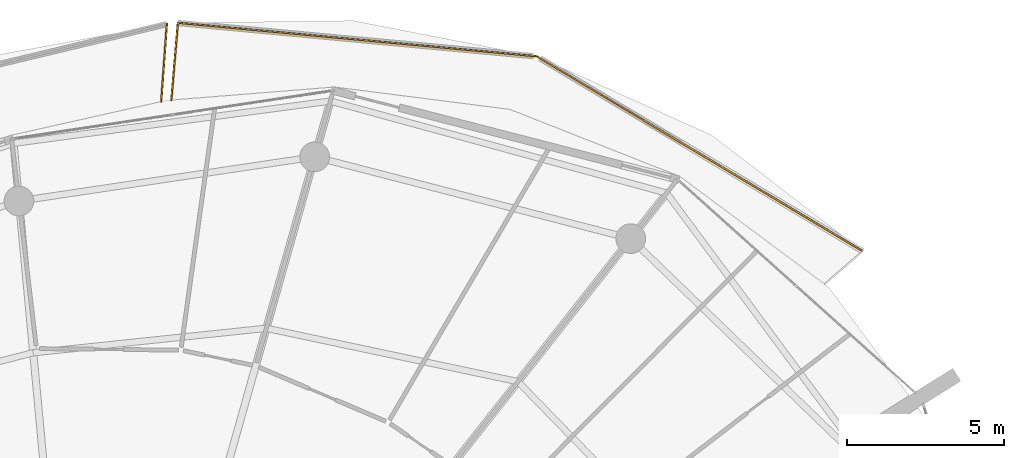
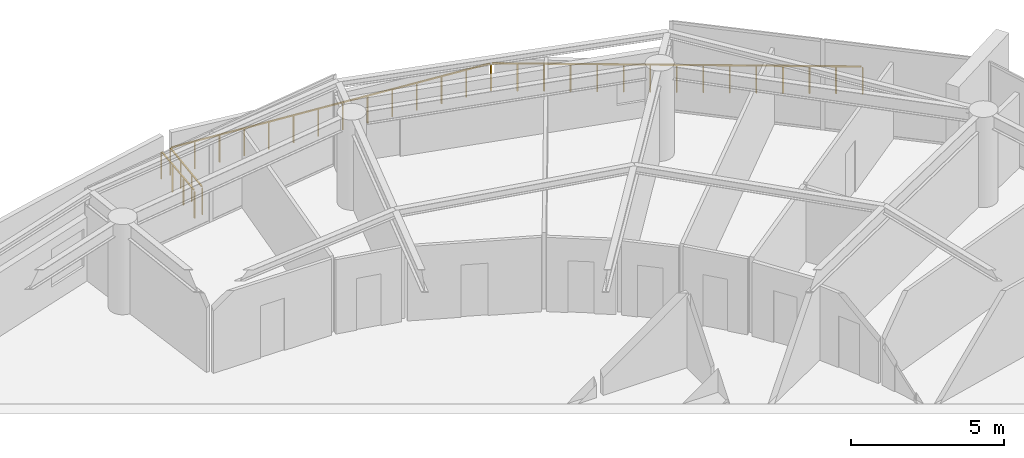
# One storey, part 31 of 31: 4 railings.
"""IFC4 building model written with IfcOpenShell, lengths in metres."""

from ifc_helpers import new_model, si_unit, direction, frame, origin, origin_2d, place, context, subcontext, project, spatial, rectangle, extrude, material, type_object, element, save


model = new_model("IFC4")

# Units and contexts
model_context = context("Model", 3, precision=1e-05, world=origin(), true_north=direction((0.0, 1.0)))
body_context = subcontext(model_context, "Body", "Model", "MODEL_VIEW")
ifc_project = project(units=[si_unit("LENGTHUNIT", "METRE"), si_unit("AREAUNIT", "SQUARE_METRE"), si_unit("VOLUMEUNIT", "CUBIC_METRE"), si_unit("PLANEANGLEUNIT", "RADIAN"), si_unit("MASSUNIT", "GRAM", prefix="KILO")], contexts=[model_context])

# Site, building, storey
site_placement = place(None, origin())
site = spatial("IfcSite", under=ifc_project, at=site_placement, CompositionType="ELEMENT")
building_placement = place(site_placement, origin())
building = spatial("IfcBuilding", under=site, at=building_placement, Name="Kazma Halo Residences", CompositionType="ELEMENT")
storey_placement = place(building_placement, frame((0.0, 0.0, 248.25)))
storey = spatial("IfcBuildingStorey", under=building, at=storey_placement, Name="L62", CompositionType="ELEMENT", Elevation=248.25)

# Railings
ifc_material = material(Name="Aluminium AW-6063 T6 Brushed Cap Rail", Category="aluminium")
railing_type = type_object("IfcRailingType", Name="RLG-BAL-CAP-1120", PredefinedType="BALUSTRADE", material=ifc_material)
railing_1_placement = place(storey_placement, frame((72.251220703125, 62.969970703125, 0.0)))
element("IfcRailing", 1, at=railing_1_placement, inside=storey, type_object=railing_type, Name="L62 NE wave balcony guard 2", PredefinedType="BALUSTRADE", context=body_context, shape_type="SweptSolid", body=[
    extrude(rectangle(XDim=0.050048828125, YDim=0.050048828125, at=origin_2d()), frame((-0.03662109375, 0.021728515625, 1.09521484375), z_axis=(-0.858276045077, 0.513188299211, 0.0), x_axis=(-0.513188299211, -0.858276045077, 0.0)), (0.0, 0.0, 1.0), 12.030517578125),
    extrude(rectangle(XDim=0.0400390625, YDim=0.0400390625, at=origin_2d()), origin(), (0.0, 0.0, 1.0), 1.05810546875),
    extrude(rectangle(XDim=0.0400390625, YDim=0.0400390625, at=origin_2d()), frame((-0.74267578125, 0.444091796875, 0.0)), (0.0, 0.0, 1.0), 1.05810546875),
    extrude(rectangle(XDim=0.0400390625, YDim=0.0400390625, at=origin_2d()), frame((-1.485595703125, 0.88818359375, 0.0)), (0.0, 0.0, 1.0), 1.05810546875),
    extrude(rectangle(XDim=0.0400390625, YDim=0.0400390625, at=origin_2d()), frame((-2.228271484375, 1.332275390625, 0.0)), (0.0, 0.0, 1.0), 1.05810546875),
    extrude(rectangle(XDim=0.0400390625, YDim=0.0400390625, at=origin_2d()), frame((-2.970947265625, 1.7763671875, 0.0)), (0.0, 0.0, 1.0), 1.05810546875),
    extrude(rectangle(XDim=0.0400390625, YDim=0.0400390625, at=origin_2d()), frame((-3.713623046875, 2.220458984375, 0.0)), (0.0, 0.0, 1.0), 1.05810546875),
    extrude(rectangle(XDim=0.0400390625, YDim=0.0400390625, at=origin_2d()), frame((-4.45654296875, 2.66455078125, 0.0)), (0.0, 0.0, 1.0), 1.05810546875),
    extrude(rectangle(XDim=0.0400390625, YDim=0.0400390625, at=origin_2d()), frame((-5.19921875, 3.10888671875, 0.0)), (0.0, 0.0, 1.0), 1.05810546875),
    extrude(rectangle(XDim=0.0400390625, YDim=0.0400390625, at=origin_2d()), frame((-5.94189453125, 3.552978515625, 0.0)), (0.0, 0.0, 1.0), 1.05810546875),
    extrude(rectangle(XDim=0.0400390625, YDim=0.0400390625, at=origin_2d()), frame((-6.684814453125, 3.9970703125, 0.0)), (0.0, 0.0, 1.0), 1.05810546875),
    extrude(rectangle(XDim=0.0400390625, YDim=0.0400390625, at=origin_2d()), frame((-7.427490234375, 4.441162109375, 0.0)), (0.0, 0.0, 1.0), 1.05810546875),
    extrude(rectangle(XDim=0.0400390625, YDim=0.0400390625, at=origin_2d()), frame((-8.170166015625, 4.88525390625, 0.0)), (0.0, 0.0, 1.0), 1.05810546875),
    extrude(rectangle(XDim=0.0400390625, YDim=0.0400390625, at=origin_2d()), frame((-8.912841796875, 5.329345703125, 0.0)), (0.0, 0.0, 1.0), 1.05810546875),
    extrude(rectangle(XDim=0.0400390625, YDim=0.0400390625, at=origin_2d()), frame((-9.65576171875, 5.7734375, 0.0)), (0.0, 0.0, 1.0), 1.05810546875),
    extrude(rectangle(XDim=0.0400390625, YDim=0.0400390625, at=origin_2d()), frame((-10.3984375, 6.217529296875, 0.0)), (0.0, 0.0, 1.0), 1.05810546875),
])
railing_2_placement = place(storey_placement, frame((61.852783203125, 69.1875, 0.0)))
element("IfcRailing", 2, at=railing_2_placement, inside=storey, type_object=railing_type, Name="L62 NE wave balcony guard 3", PredefinedType="BALUSTRADE", context=body_context, shape_type="SweptSolid", body=[
    extrude(rectangle(XDim=0.050048828125, YDim=0.050048828125, at=origin_2d()), frame((-0.042236328125, 0.00390625, 1.09521484375), z_axis=(-0.995673088421, 0.092925244122, 0.0), x_axis=(-0.092925244122, -0.995673088421, 0.0)), (0.0, 0.0, 1.0), 11.419677734375),
    extrude(rectangle(XDim=0.0400390625, YDim=0.0400390625, at=origin_2d()), origin(), (0.0, 0.0, 1.0), 1.05810546875),
    extrude(rectangle(XDim=0.0400390625, YDim=0.0400390625, at=origin_2d()), frame((-0.881103515625, 0.082275390625, 0.0)), (0.0, 0.0, 1.0), 1.05810546875),
    extrude(rectangle(XDim=0.0400390625, YDim=0.0400390625, at=origin_2d()), frame((-1.76220703125, 0.16455078125, 0.0)), (0.0, 0.0, 1.0), 1.05810546875),
    extrude(rectangle(XDim=0.0400390625, YDim=0.0400390625, at=origin_2d()), frame((-2.6435546875, 0.246826171875, 0.0)), (0.0, 0.0, 1.0), 1.05810546875),
    extrude(rectangle(XDim=0.0400390625, YDim=0.0400390625, at=origin_2d()), frame((-3.524658203125, 0.328857421875, 0.0)), (0.0, 0.0, 1.0), 1.05810546875),
    extrude(rectangle(XDim=0.0400390625, YDim=0.0400390625, at=origin_2d()), frame((-4.40576171875, 0.4111328125, 0.0)), (0.0, 0.0, 1.0), 1.05810546875),
    extrude(rectangle(XDim=0.0400390625, YDim=0.0400390625, at=origin_2d()), frame((-5.286865234375, 0.493408203125, 0.0)), (0.0, 0.0, 1.0), 1.05810546875),
    extrude(rectangle(XDim=0.0400390625, YDim=0.0400390625, at=origin_2d()), frame((-6.168212890625, 0.57568359375, 0.0)), (0.0, 0.0, 1.0), 1.05810546875),
    extrude(rectangle(XDim=0.0400390625, YDim=0.0400390625, at=origin_2d()), frame((-7.04931640625, 0.657958984375, 0.0)), (0.0, 0.0, 1.0), 1.05810546875),
    extrude(rectangle(XDim=0.0400390625, YDim=0.0400390625, at=origin_2d()), frame((-7.930419921875, 0.740234375, 0.0)), (0.0, 0.0, 1.0), 1.05810546875),
    extrude(rectangle(XDim=0.0400390625, YDim=0.0400390625, at=origin_2d()), frame((-8.8115234375, 0.822265625, 0.0)), (0.0, 0.0, 1.0), 1.05810546875),
    extrude(rectangle(XDim=0.0400390625, YDim=0.0400390625, at=origin_2d()), frame((-9.69287109375, 0.904541015625, 0.0)), (0.0, 0.0, 1.0), 1.05810546875),
    extrude(rectangle(XDim=0.0400390625, YDim=0.0400390625, at=origin_2d()), frame((-10.573974609375, 0.98681640625, 0.0)), (0.0, 0.0, 1.0), 1.05810546875),
    extrude(rectangle(XDim=0.0400390625, YDim=0.0400390625, at=origin_2d()), frame((-11.455078125, 1.069091796875, 0.0)), (0.0, 0.0, 1.0), 1.05810546875),
])
railing_3_placement = place(storey_placement, frame((50.397705078125, 70.256591796875, 0.0)))
element("IfcRailing", 3, at=railing_3_placement, inside=storey, type_object=railing_type, Name="L62 NE wave balcony guard 4", PredefinedType="BALUSTRADE", context=body_context, shape_type="SweptSolid", body=[
    extrude(rectangle(XDim=0.050048828125, YDim=0.050048828125, at=origin_2d()), frame((-0.003662109375, -0.04248046875, 1.09521484375), z_axis=(-0.084566101323, -0.996417871431, 0.0), x_axis=(0.996417871431, -0.084566101323, 0.0)), (0.0, 0.0, 1.0), 2.38623046875),
    extrude(rectangle(XDim=0.0400390625, YDim=0.0400390625, at=origin_2d()), origin(), (0.0, 0.0, 1.0), 1.05810546875),
    extrude(rectangle(XDim=0.0400390625, YDim=0.0400390625, at=origin_2d()), frame((-0.069580078125, -0.82080078125, 0.0)), (0.0, 0.0, 1.0), 1.05810546875),
    extrude(rectangle(XDim=0.0400390625, YDim=0.0400390625, at=origin_2d()), frame((-0.139404296875, -1.6416015625, 0.0)), (0.0, 0.0, 1.0), 1.05810546875),
    extrude(rectangle(XDim=0.0400390625, YDim=0.0400390625, at=origin_2d()), frame((-0.208984375, -2.46240234375, 0.0)), (0.0, 0.0, 1.0), 1.05810546875),
])
railing_4_placement = place(storey_placement, frame((49.8681640625, 67.74609375, 0.0)))
element("IfcRailing", 4, at=railing_4_placement, inside=storey, type_object=railing_type, Name="L62 NNW wave balcony guard 1", PredefinedType="BALUSTRADE", context=body_context, shape_type="SweptSolid", body=[
    extrude(rectangle(XDim=0.050048828125, YDim=0.050048828125, at=origin_2d()), frame((0.003173828125, 0.04248046875, 1.09521484375), z_axis=(0.072359420263, 0.997378621337, 0.0), x_axis=(-0.997378621337, 0.072359420263, 0.0)), (0.0, 0.0, 1.0), 2.394775390625),
    extrude(rectangle(XDim=0.0400390625, YDim=0.0400390625, at=origin_2d()), origin(), (0.0, 0.0, 1.0), 1.05810546875),
    extrude(rectangle(XDim=0.0400390625, YDim=0.0400390625, at=origin_2d()), frame((0.059814453125, 0.824462890625, 0.0)), (0.0, 0.0, 1.0), 1.05810546875),
    extrude(rectangle(XDim=0.0400390625, YDim=0.0400390625, at=origin_2d()), frame((0.11962890625, 1.64892578125, 0.0)), (0.0, 0.0, 1.0), 1.05810546875),
    extrude(rectangle(XDim=0.0400390625, YDim=0.0400390625, at=origin_2d()), frame((0.179443359375, 2.473388671875, 0.0)), (0.0, 0.0, 1.0), 1.05810546875),
])

save(model, "model.ifc")
